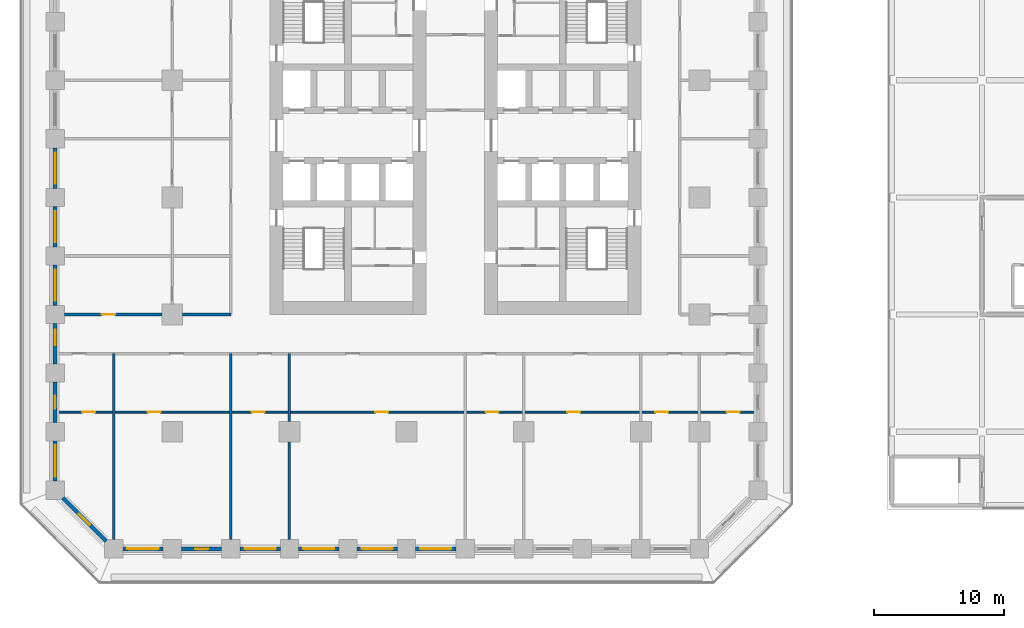
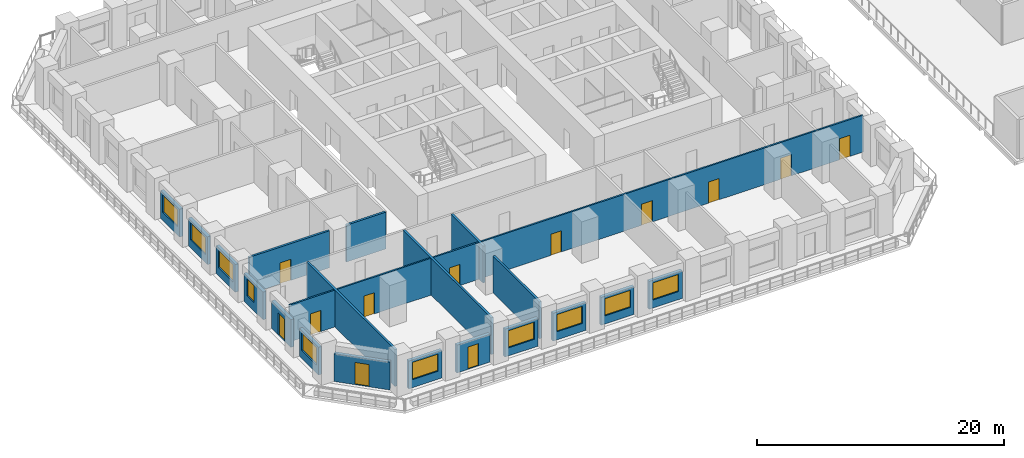
# One storey, part 18 of 30: 20 walls, 12 doors, 10 windows, 22 openings.
"""IFC4 building model written with IfcOpenShell, lengths in metres."""

from ifc_helpers import new_model, si_unit, direction, frame, frame_2d, origin, place, context, subcontext, project, spatial, rectangle, extrude, material, layer, layer_set, type_object, element, fill, save


model = new_model("IFC4")

# Units and contexts
model_context = context("Model", 3, precision=1e-05, world=origin(), true_north=direction((0.0, 1.0)))
body_context = subcontext(model_context, "Body", "Model", "MODEL_VIEW")
ifc_project = project(units=[si_unit("LENGTHUNIT", "METRE"), si_unit("AREAUNIT", "SQUARE_METRE"), si_unit("VOLUMEUNIT", "CUBIC_METRE"), si_unit("PLANEANGLEUNIT", "RADIAN"), si_unit("MASSUNIT", "GRAM", prefix="KILO")], contexts=[model_context])

# Site, building, storey
site_placement = place(None, origin())
site = spatial("IfcSite", under=ifc_project, at=site_placement, CompositionType="ELEMENT")
building_placement = place(site_placement, origin())
building = spatial("IfcBuilding", under=site, at=building_placement, Name="Corbel Stack Research Tower", CompositionType="ELEMENT")
storey_placement = place(building_placement, frame((0.0, 0.0, 19.5)))
storey = spatial("IfcBuildingStorey", under=building, at=storey_placement, Name="L04", CompositionType="ELEMENT", Elevation=19.5)

# Walls
ifc_material_1 = material(Name="Fire-rated gypsum board partition on steel studs", Category="steel")
ifc_layer_1 = layer(ifc_material_1, 0.199951171875)
ifc_layer_set_1 = layer_set([ifc_layer_1], Name="Fire-rated gypsum board partition on steel studs")
wall_type_1 = type_object("IfcWallType", Name="Fire-rated partition 200 EI 60", PredefinedType="PARTITIONING", material=ifc_layer_set_1)
for number, where, z_axis, x_axis, name in (
    (1, (-22.5, -26.300048828125, 0.0), (0.0, 0.0, 1.0), (0.0, 1.0, 0.0), "Partition L04-001"),
    (2, (-13.5, -26.300048828125, 0.0), (0.0, 0.0, 1.0), (0.0, 1.0, 0.0), "Partition L04-006"),
):
    element("IfcWall", number, at=place(storey_placement, frame(where, z_axis=z_axis, x_axis=x_axis)), inside=storey, type_object=wall_type_1, Name=name, PredefinedType="PARTITIONING", context=body_context, shape_type="SweptSolid", body=[
        extrude(rectangle(XDim=14.300048828125, YDim=0.199951171875, at=frame_2d((7.14990234375, 0.0))), origin(), (0.0, 0.0, 1.0), 3.64990234375),
    ])
wall_1_placement = place(storey_placement, frame((-9.0, -26.300048828125, 0.0), z_axis=(0.0, 0.0, 1.0), x_axis=(0.0, 1.0, 0.0)))
element("IfcWall", 3, at=wall_1_placement, inside=storey, type_object=wall_type_1, Name="Partition L04-009", PredefinedType="PARTITIONING", context=body_context, shape_type="SweptSolid", body=[
    extrude(rectangle(XDim=7.5, YDim=0.199951171875, at=frame_2d((3.75, 0.0))), origin(), (0.0, 0.0, 1.0), 3.64990234375),
])
wall_2_placement = place(storey_placement, frame((-9.0, -17.199951171875, 0.0), z_axis=(0.0, 0.0, 1.0), x_axis=(0.0, 1.0, 0.0)))
element("IfcWall", 4, at=wall_2_placement, inside=storey, type_object=wall_type_1, Name="Partition L04-010", PredefinedType="PARTITIONING", context=body_context, shape_type="SweptSolid", body=[
    extrude(rectangle(XDim=5.199951171875, YDim=0.199951171875, at=frame_2d((2.60009765625, 0.0))), origin(), (0.0, 0.0, 1.0), 3.64990234375),
])

# Wall, opening, door
wall_3_placement = place(storey_placement, frame((-26.300048828125, -9.0, 0.0), z_axis=(0.0, 0.0, 1.0), x_axis=(1.0, 0.0, 0.0)))
wall_3 = element("IfcWall", 5, at=wall_3_placement, inside=storey, type_object=wall_type_1, Name="Partition L04-026", PredefinedType="PARTITIONING", context=body_context, shape_type="SweptSolid", body=[
    extrude(rectangle(XDim=7.5, YDim=0.199951171875, at=frame_2d((3.75, 0.0))), origin(), (0.0, 0.0, 1.0), 3.64990234375),
])
opening_1_placement = place(wall_3_placement, frame((2.89990234375, 0.0, 0.0)))
opening_1 = element("IfcOpeningElement", 6, at=opening_1_placement, cuts=wall_3, Name="Opening B1V1-024", PredefinedType="OPENING", context=body_context, shape_type="SweptSolid", body=[
    extrude(rectangle(XDim=1.0, YDim=2.10009765625, at=frame_2d((0.5, 1.050048828125))), frame((0.0, 0.10986328125, 0.0), z_axis=(0.0, -1.0, 0.0), x_axis=(1.0, 0.0, 0.0)), (0.0, 0.0, 1.0), 0.219970703125),
])
ifc_material_2 = material(Name="Painted steel fire door", Category="steel")
door_type_1 = type_object("IfcDoorType", Name="Fire door FD30S 1000 x 2100", OperationType="NOTDEFINED", PredefinedType="DOOR", material=ifc_material_2)
door_1_placement = place(opening_1_placement, origin())
door_1 = element("IfcDoor", 7, at=door_1_placement, inside=storey, type_object=door_type_1, Name="Door B1V1-024", OperationType="SINGLE_SWING_LEFT", OverallHeight=2.10009765625, OverallWidth=1.0, PredefinedType="DOOR", context=body_context, shape_type="SweptSolid", body=[
    extrude(rectangle(XDim=1.0, YDim=2.10009765625, at=frame_2d((0.5, 1.050048828125))), frame((0.0, 0.02490234375, 0.0), z_axis=(0.0, -1.0, 0.0), x_axis=(1.0, 0.0, 0.0)), (0.0, 0.0, 1.0), 0.050048828125),
])
fill(opening_1, door_1)

# Wall
wall_4_placement = place(storey_placement, frame((-17.199951171875, -9.0, 0.0), z_axis=(0.0, 0.0, 1.0), x_axis=(1.0, 0.0, 0.0)))
element("IfcWall", 8, at=wall_4_placement, inside=storey, type_object=wall_type_1, Name="Partition L04-027", PredefinedType="PARTITIONING", context=body_context, shape_type="SweptSolid", body=[
    extrude(rectangle(XDim=3.699951171875, YDim=0.199951171875, at=frame_2d((1.85009765625, 0.0))), origin(), (0.0, 0.0, 1.0), 3.64990234375),
])

# Wall, openings, doors
ifc_material_3 = material(Name="Gypsum board partition on steel studs", Category="steel")
ifc_layer_2 = layer(ifc_material_3, 0.14990234375)
ifc_layer_set_2 = layer_set([ifc_layer_2], Name="Gypsum board partition on steel studs")
wall_type_2 = type_object("IfcWallType", Name="Partition 150", PredefinedType="PARTITIONING", material=ifc_layer_set_2)
wall_5_placement = place(storey_placement, frame((26.85009765625, -16.5, 0.0), z_axis=(0.0, 0.0, 1.0), x_axis=(-1.0, 0.0, 0.0)))
wall_5 = element("IfcWall", 9, at=wall_5_placement, inside=storey, type_object=wall_type_2, Name="Partition L04-024", PredefinedType="PARTITIONING", context=body_context, shape_type="SweptSolid", body=[
    extrude(rectangle(XDim=53.7001953125, YDim=0.14990234375, at=frame_2d((26.85009765625, 0.0))), origin(), (0.0, 0.0, 1.0), 3.64990234375),
])
opening_2_placement = place(wall_5_placement, frame((50.75, 0.0, 0.0)))
opening_2 = element("IfcOpeningElement", 10, at=opening_2_placement, cuts=wall_5, Name="Opening B1V1-005", PredefinedType="OPENING", context=body_context, shape_type="SweptSolid", body=[
    extrude(rectangle(XDim=1.0, YDim=2.10009765625, at=frame_2d((0.5, 1.050048828125))), frame((0.0, 0.0849609375, 0.0), z_axis=(0.0, -1.0, 0.0), x_axis=(1.0, 0.0, 0.0)), (0.0, 0.0, 1.0), 0.169921875),
])
opening_3_placement = place(wall_5_placement, frame((45.75, 0.0, 0.0)))
opening_3 = element("IfcOpeningElement", 11, at=opening_3_placement, cuts=wall_5, Name="Opening B1V1-006", PredefinedType="OPENING", context=body_context, shape_type="SweptSolid", body=[
    extrude(rectangle(XDim=1.0, YDim=2.10009765625, at=frame_2d((0.5, 1.050048828125))), frame((0.0, 0.0849609375, 0.0), z_axis=(0.0, -1.0, 0.0), x_axis=(1.0, 0.0, 0.0)), (0.0, 0.0, 1.0), 0.169921875),
])
opening_4_placement = place(wall_5_placement, frame((37.75, 0.0, 0.0)))
opening_4 = element("IfcOpeningElement", 12, at=opening_4_placement, cuts=wall_5, Name="Opening B1V1-007", PredefinedType="OPENING", context=body_context, shape_type="SweptSolid", body=[
    extrude(rectangle(XDim=1.0, YDim=2.10009765625, at=frame_2d((0.5, 1.050048828125))), frame((0.0, 0.0849609375, 0.0), z_axis=(0.0, -1.0, 0.0), x_axis=(1.0, 0.0, 0.0)), (0.0, 0.0, 1.0), 0.169921875),
])
opening_5_placement = place(wall_5_placement, frame((28.25, 0.0, 0.0)))
opening_5 = element("IfcOpeningElement", 13, at=opening_5_placement, cuts=wall_5, Name="Opening B1V1-008", PredefinedType="OPENING", context=body_context, shape_type="SweptSolid", body=[
    extrude(rectangle(XDim=1.0, YDim=2.10009765625, at=frame_2d((0.5, 1.050048828125))), frame((0.0, 0.0849609375, 0.0), z_axis=(0.0, -1.0, 0.0), x_axis=(1.0, 0.0, 0.0)), (0.0, 0.0, 1.0), 0.169921875),
])
opening_6_placement = place(wall_5_placement, frame((19.75, 0.0, 0.0)))
opening_6 = element("IfcOpeningElement", 14, at=opening_6_placement, cuts=wall_5, Name="Opening B1V1-009", PredefinedType="OPENING", context=body_context, shape_type="SweptSolid", body=[
    extrude(rectangle(XDim=1.0, YDim=2.10009765625, at=frame_2d((0.5, 1.050048828125))), frame((0.0, 0.0849609375, 0.0), z_axis=(0.0, -1.0, 0.0), x_axis=(1.0, 0.0, 0.0)), (0.0, 0.0, 1.0), 0.169921875),
])
opening_7_placement = place(wall_5_placement, frame((13.5, 0.0, 0.0)))
opening_7 = element("IfcOpeningElement", 15, at=opening_7_placement, cuts=wall_5, Name="Opening B1V1-010", PredefinedType="OPENING", context=body_context, shape_type="SweptSolid", body=[
    extrude(rectangle(XDim=1.0, YDim=2.10009765625, at=frame_2d((0.5, 1.050048828125))), frame((0.0, 0.0849609375, 0.0), z_axis=(0.0, -1.0, 0.0), x_axis=(1.0, 0.0, 0.0)), (0.0, 0.0, 1.0), 0.169921875),
])
opening_8_placement = place(wall_5_placement, frame((6.75, 0.0, 0.0)))
opening_8 = element("IfcOpeningElement", 16, at=opening_8_placement, cuts=wall_5, Name="Opening B1V1-011", PredefinedType="OPENING", context=body_context, shape_type="SweptSolid", body=[
    extrude(rectangle(XDim=1.0, YDim=2.10009765625, at=frame_2d((0.5, 1.050048828125))), frame((0.0, 0.0849609375, 0.0), z_axis=(0.0, -1.0, 0.0), x_axis=(1.0, 0.0, 0.0)), (0.0, 0.0, 1.0), 0.169921875),
])
opening_9_placement = place(wall_5_placement, frame((1.25, 0.0, 0.0)))
opening_9 = element("IfcOpeningElement", 17, at=opening_9_placement, cuts=wall_5, Name="Opening B1V1-012", PredefinedType="OPENING", context=body_context, shape_type="SweptSolid", body=[
    extrude(rectangle(XDim=1.0, YDim=2.10009765625, at=frame_2d((0.5, 1.050048828125))), frame((0.0, 0.0849609375, 0.0), z_axis=(0.0, -1.0, 0.0), x_axis=(1.0, 0.0, 0.0)), (0.0, 0.0, 1.0), 0.169921875),
])
ifc_material_4 = material(Name="Painted timber door", Category="wood")
door_type_2 = type_object("IfcDoorType", Name="Single door 1000 x 2100", OperationType="NOTDEFINED", PredefinedType="DOOR", material=ifc_material_4)
door_2_placement = place(opening_2_placement, origin())
door_2 = element("IfcDoor", 18, at=door_2_placement, inside=storey, type_object=door_type_2, Name="Door B1V1-005", OperationType="SINGLE_SWING_RIGHT", OverallHeight=2.10009765625, OverallWidth=1.0, PredefinedType="DOOR", context=body_context, shape_type="SweptSolid", body=[
    extrude(rectangle(XDim=1.0, YDim=2.10009765625, at=frame_2d((0.5, 1.050048828125))), frame((0.0, 0.02490234375, 0.0), z_axis=(0.0, -1.0, 0.0), x_axis=(1.0, 0.0, 0.0)), (0.0, 0.0, 1.0), 0.050048828125),
])
fill(opening_2, door_2)
door_3_placement = place(opening_3_placement, origin())
door_3 = element("IfcDoor", 19, at=door_3_placement, inside=storey, type_object=door_type_2, Name="Door B1V1-006", OperationType="SINGLE_SWING_RIGHT", OverallHeight=2.10009765625, OverallWidth=1.0, PredefinedType="DOOR", context=body_context, shape_type="SweptSolid", body=[
    extrude(rectangle(XDim=1.0, YDim=2.10009765625, at=frame_2d((0.5, 1.050048828125))), frame((0.0, 0.02490234375, 0.0), z_axis=(0.0, -1.0, 0.0), x_axis=(1.0, 0.0, 0.0)), (0.0, 0.0, 1.0), 0.050048828125),
])
fill(opening_3, door_3)
door_4_placement = place(opening_4_placement, origin())
door_4 = element("IfcDoor", 20, at=door_4_placement, inside=storey, type_object=door_type_2, Name="Door B1V1-007", OperationType="SINGLE_SWING_RIGHT", OverallHeight=2.10009765625, OverallWidth=1.0, PredefinedType="DOOR", context=body_context, shape_type="SweptSolid", body=[
    extrude(rectangle(XDim=1.0, YDim=2.10009765625, at=frame_2d((0.5, 1.050048828125))), frame((0.0, 0.02490234375, 0.0), z_axis=(0.0, -1.0, 0.0), x_axis=(1.0, 0.0, 0.0)), (0.0, 0.0, 1.0), 0.050048828125),
])
fill(opening_4, door_4)
door_5_placement = place(opening_5_placement, origin())
door_5 = element("IfcDoor", 21, at=door_5_placement, inside=storey, type_object=door_type_2, Name="Door B1V1-008", OperationType="SINGLE_SWING_RIGHT", OverallHeight=2.10009765625, OverallWidth=1.0, PredefinedType="DOOR", context=body_context, shape_type="SweptSolid", body=[
    extrude(rectangle(XDim=1.0, YDim=2.10009765625, at=frame_2d((0.5, 1.050048828125))), frame((0.0, 0.02490234375, 0.0), z_axis=(0.0, -1.0, 0.0), x_axis=(1.0, 0.0, 0.0)), (0.0, 0.0, 1.0), 0.050048828125),
])
fill(opening_5, door_5)
door_6_placement = place(opening_6_placement, origin())
door_6 = element("IfcDoor", 22, at=door_6_placement, inside=storey, type_object=door_type_2, Name="Door B1V1-009", OperationType="SINGLE_SWING_LEFT", OverallHeight=2.10009765625, OverallWidth=1.0, PredefinedType="DOOR", context=body_context, shape_type="SweptSolid", body=[
    extrude(rectangle(XDim=1.0, YDim=2.10009765625, at=frame_2d((0.5, 1.050048828125))), frame((0.0, 0.02490234375, 0.0), z_axis=(0.0, -1.0, 0.0), x_axis=(1.0, 0.0, 0.0)), (0.0, 0.0, 1.0), 0.050048828125),
])
fill(opening_6, door_6)
door_7_placement = place(opening_7_placement, origin())
door_7 = element("IfcDoor", 23, at=door_7_placement, inside=storey, type_object=door_type_2, Name="Door B1V1-010", OperationType="SINGLE_SWING_LEFT", OverallHeight=2.10009765625, OverallWidth=1.0, PredefinedType="DOOR", context=body_context, shape_type="SweptSolid", body=[
    extrude(rectangle(XDim=1.0, YDim=2.10009765625, at=frame_2d((0.5, 1.050048828125))), frame((0.0, 0.02490234375, 0.0), z_axis=(0.0, -1.0, 0.0), x_axis=(1.0, 0.0, 0.0)), (0.0, 0.0, 1.0), 0.050048828125),
])
fill(opening_7, door_7)
door_8_placement = place(opening_8_placement, origin())
door_8 = element("IfcDoor", 24, at=door_8_placement, inside=storey, type_object=door_type_2, Name="Door B1V1-011", OperationType="SINGLE_SWING_LEFT", OverallHeight=2.10009765625, OverallWidth=1.0, PredefinedType="DOOR", context=body_context, shape_type="SweptSolid", body=[
    extrude(rectangle(XDim=1.0, YDim=2.10009765625, at=frame_2d((0.5, 1.050048828125))), frame((0.0, 0.02490234375, 0.0), z_axis=(0.0, -1.0, 0.0), x_axis=(1.0, 0.0, 0.0)), (0.0, 0.0, 1.0), 0.050048828125),
])
fill(opening_8, door_8)
door_9_placement = place(opening_9_placement, origin())
door_9 = element("IfcDoor", 25, at=door_9_placement, inside=storey, type_object=door_type_2, Name="Door B1V1-012", OperationType="SINGLE_SWING_LEFT", OverallHeight=2.10009765625, OverallWidth=1.0, PredefinedType="DOOR", context=body_context, shape_type="SweptSolid", body=[
    extrude(rectangle(XDim=1.0, YDim=2.10009765625, at=frame_2d((0.5, 1.050048828125))), frame((0.0, 0.02490234375, 0.0), z_axis=(0.0, -1.0, 0.0), x_axis=(1.0, 0.0, 0.0)), (0.0, 0.0, 1.0), 0.050048828125),
])
fill(opening_9, door_9)

# Wall, opening, window
ifc_material_5 = material(Name="Concrete C45/55", Category="concrete")
ifc_layer_3 = layer(ifc_material_5, 0.300048828125)
ifc_layer_set_3 = layer_set([ifc_layer_3], Name="Concrete C45/55")
wall_type_3 = type_object("IfcWallType", Name="Terracotta-faced concrete wall 300", PredefinedType="SOLIDWALL", material=ifc_layer_set_3)
wall_6_placement = place(storey_placement, frame((-18.699951171875, -27.0, 0.0), z_axis=(0.0, 0.0, 1.0), x_axis=(-1.0, 0.0, 0.0)))
wall_6 = element("IfcWall", 26, at=wall_6_placement, inside=storey, type_object=wall_type_3, Name="Facade wall L04 S01", PredefinedType="SOLIDWALL", context=body_context, shape_type="SweptSolid", body=[
    extrude(rectangle(XDim=3.10009765625, YDim=0.300048828125, at=frame_2d((1.550048828125, 0.0))), origin(), (0.0, 0.0, 1.0), 2.75),
])
opening_10_placement = place(wall_6_placement, frame((0.35009765625, 0.0, 0.800048828125)))
opening_10 = element("IfcOpeningElement", 27, at=opening_10_placement, cuts=wall_6, Name="Opening W1", PredefinedType="OPENING", context=body_context, shape_type="SweptSolid", body=[
    extrude(rectangle(XDim=2.39990234375, YDim=1.699951171875, at=frame_2d((1.199951171875, 0.85009765625))), frame((0.0, 0.159912109375, 0.0), z_axis=(0.0, -1.0, 0.0), x_axis=(1.0, 0.0, 0.0)), (0.0, 0.0, 1.0), 0.320068359375),
])
ifc_material_6 = material(Name="Aluminium frame, clear double glazing", Category="aluminium")
window_type_1 = type_object("IfcWindowType", Name="Window W1 2400 x 1700", PartitioningType="SINGLE_PANEL", PredefinedType="WINDOW", material=ifc_material_6)
window_1_placement = place(opening_10_placement, origin())
window_1 = element("IfcWindow", 28, at=window_1_placement, inside=storey, type_object=window_type_1, Name="Window W1 L04 S01", OverallHeight=1.699951171875, OverallWidth=2.39990234375, PartitioningType="SINGLE_PANEL", PredefinedType="WINDOW", context=body_context, shape_type="SweptSolid", body=[
    extrude(rectangle(XDim=2.39990234375, YDim=1.699951171875, at=frame_2d((1.199951171875, 0.85009765625))), frame((0.0, 0.030029296875, 0.0), z_axis=(0.0, -1.0, 0.0), x_axis=(1.0, 0.0, 0.0)), (0.0, 0.0, 1.0), 0.06005859375),
])
fill(opening_10, window_1)

# Wall, opening, door
wall_7_placement = place(storey_placement, frame((-14.199951171875, -27.0, 0.0), z_axis=(0.0, 0.0, 1.0), x_axis=(-1.0, 0.0, 0.0)))
wall_7 = element("IfcWall", 29, at=wall_7_placement, inside=storey, type_object=wall_type_3, Name="Facade wall L04 S02", PredefinedType="SOLIDWALL", context=body_context, shape_type="SweptSolid", body=[
    extrude(rectangle(XDim=3.10009765625, YDim=0.300048828125, at=frame_2d((1.550048828125, 0.0))), origin(), (0.0, 0.0, 1.0), 2.75),
])
opening_11_placement = place(wall_7_placement, frame((1.050048828125, 0.0, 0.0)))
opening_11 = element("IfcOpeningElement", 30, at=opening_11_placement, cuts=wall_7, Name="Opening L04-B01", PredefinedType="OPENING", context=body_context, shape_type="SweptSolid", body=[
    extrude(rectangle(XDim=1.0, YDim=2.199951171875, at=frame_2d((0.5, 1.10009765625))), frame((0.0, 0.159912109375, 0.0), z_axis=(0.0, -1.0, 0.0), x_axis=(1.0, 0.0, 0.0)), (0.0, 0.0, 1.0), 0.320068359375),
])
ifc_material_7 = material(Name="Aluminium frame, clear double glazing", Category="aluminium")
door_type_3 = type_object("IfcDoorType", Name="Balcony door BD1 1000 x 2200", OperationType="NOTDEFINED", PredefinedType="DOOR", material=ifc_material_7)
door_10_placement = place(opening_11_placement, origin())
door_10 = element("IfcDoor", 31, at=door_10_placement, inside=storey, type_object=door_type_3, Name="Balcony door L04-B01", OperationType="SINGLE_SWING_RIGHT", OverallHeight=2.199951171875, OverallWidth=1.0, PredefinedType="DOOR", context=body_context, shape_type="SweptSolid", body=[
    extrude(rectangle(XDim=1.0, YDim=2.199951171875, at=frame_2d((0.5, 1.10009765625))), frame((0.0, 0.02490234375, 0.0), z_axis=(0.0, -1.0, 0.0), x_axis=(1.0, 0.0, 0.0)), (0.0, 0.0, 1.0), 0.050048828125),
])
fill(opening_11, door_10)

# Wall, opening, window
wall_8_placement = place(storey_placement, frame((-9.699951171875, -27.0, 0.0), z_axis=(0.0, 0.0, 1.0), x_axis=(-1.0, 0.0, 0.0)))
wall_8 = element("IfcWall", 32, at=wall_8_placement, inside=storey, type_object=wall_type_3, Name="Facade wall L04 S03", PredefinedType="SOLIDWALL", context=body_context, shape_type="SweptSolid", body=[
    extrude(rectangle(XDim=3.10009765625, YDim=0.300048828125, at=frame_2d((1.550048828125, 0.0))), origin(), (0.0, 0.0, 1.0), 2.75),
])
opening_12_placement = place(wall_8_placement, frame((0.35009765625, 0.0, 0.800048828125)))
opening_12 = element("IfcOpeningElement", 33, at=opening_12_placement, cuts=wall_8, Name="Opening W1", PredefinedType="OPENING", context=body_context, shape_type="SweptSolid", body=[
    extrude(rectangle(XDim=2.39990234375, YDim=1.699951171875, at=frame_2d((1.199951171875, 0.85009765625))), frame((0.0, 0.159912109375, 0.0), z_axis=(0.0, -1.0, 0.0), x_axis=(1.0, 0.0, 0.0)), (0.0, 0.0, 1.0), 0.320068359375),
])
window_2_placement = place(opening_12_placement, origin())
window_2 = element("IfcWindow", 34, at=window_2_placement, inside=storey, type_object=window_type_1, Name="Window W1 L04 S03", OverallHeight=1.699951171875, OverallWidth=2.39990234375, PartitioningType="SINGLE_PANEL", PredefinedType="WINDOW", context=body_context, shape_type="SweptSolid", body=[
    extrude(rectangle(XDim=2.39990234375, YDim=1.699951171875, at=frame_2d((1.199951171875, 0.85009765625))), frame((0.0, 0.030029296875, 0.0), z_axis=(0.0, -1.0, 0.0), x_axis=(1.0, 0.0, 0.0)), (0.0, 0.0, 1.0), 0.06005859375),
])
fill(opening_12, window_2)

wall_9_placement = place(storey_placement, frame((-5.199951171875, -27.0, 0.0), z_axis=(0.0, 0.0, 1.0), x_axis=(-1.0, 0.0, 0.0)))
wall_9 = element("IfcWall", 35, at=wall_9_placement, inside=storey, type_object=wall_type_3, Name="Facade wall L04 S04", PredefinedType="SOLIDWALL", context=body_context, shape_type="SweptSolid", body=[
    extrude(rectangle(XDim=3.10009765625, YDim=0.300048828125, at=frame_2d((1.550048828125, 0.0))), origin(), (0.0, 0.0, 1.0), 2.75),
])
opening_13_placement = place(wall_9_placement, frame((0.35009765625, 0.0, 0.800048828125)))
opening_13 = element("IfcOpeningElement", 36, at=opening_13_placement, cuts=wall_9, Name="Opening W1", PredefinedType="OPENING", context=body_context, shape_type="SweptSolid", body=[
    extrude(rectangle(XDim=2.39990234375, YDim=1.699951171875, at=frame_2d((1.199951171875, 0.85009765625))), frame((0.0, 0.159912109375, 0.0), z_axis=(0.0, -1.0, 0.0), x_axis=(1.0, 0.0, 0.0)), (0.0, 0.0, 1.0), 0.320068359375),
])
window_3_placement = place(opening_13_placement, origin())
window_3 = element("IfcWindow", 37, at=window_3_placement, inside=storey, type_object=window_type_1, Name="Window W1 L04 S04", OverallHeight=1.699951171875, OverallWidth=2.39990234375, PartitioningType="SINGLE_PANEL", PredefinedType="WINDOW", context=body_context, shape_type="SweptSolid", body=[
    extrude(rectangle(XDim=2.39990234375, YDim=1.699951171875, at=frame_2d((1.199951171875, 0.85009765625))), frame((0.0, 0.030029296875, 0.0), z_axis=(0.0, -1.0, 0.0), x_axis=(1.0, 0.0, 0.0)), (0.0, 0.0, 1.0), 0.06005859375),
])
fill(opening_13, window_3)

wall_10_placement = place(storey_placement, frame((-0.699951171875, -27.0, 0.0), z_axis=(0.0, 0.0, 1.0), x_axis=(-1.0, 0.0, 0.0)))
wall_10 = element("IfcWall", 38, at=wall_10_placement, inside=storey, type_object=wall_type_3, Name="Facade wall L04 S05", PredefinedType="SOLIDWALL", context=body_context, shape_type="SweptSolid", body=[
    extrude(rectangle(XDim=3.10009765625, YDim=0.300048828125, at=frame_2d((1.550048828125, 0.0))), origin(), (0.0, 0.0, 1.0), 2.75),
])
opening_14_placement = place(wall_10_placement, frame((0.35009765625, 0.0, 0.800048828125)))
opening_14 = element("IfcOpeningElement", 39, at=opening_14_placement, cuts=wall_10, Name="Opening W1", PredefinedType="OPENING", context=body_context, shape_type="SweptSolid", body=[
    extrude(rectangle(XDim=2.39990234375, YDim=1.699951171875, at=frame_2d((1.199951171875, 0.85009765625))), frame((0.0, 0.159912109375, 0.0), z_axis=(0.0, -1.0, 0.0), x_axis=(1.0, 0.0, 0.0)), (0.0, 0.0, 1.0), 0.320068359375),
])
window_4_placement = place(opening_14_placement, origin())
window_4 = element("IfcWindow", 40, at=window_4_placement, inside=storey, type_object=window_type_1, Name="Window W1 L04 S05", OverallHeight=1.699951171875, OverallWidth=2.39990234375, PartitioningType="SINGLE_PANEL", PredefinedType="WINDOW", context=body_context, shape_type="SweptSolid", body=[
    extrude(rectangle(XDim=2.39990234375, YDim=1.699951171875, at=frame_2d((1.199951171875, 0.85009765625))), frame((0.0, 0.030029296875, 0.0), z_axis=(0.0, -1.0, 0.0), x_axis=(1.0, 0.0, 0.0)), (0.0, 0.0, 1.0), 0.06005859375),
])
fill(opening_14, window_4)

wall_11_placement = place(storey_placement, frame((3.800048828125, -27.0, 0.0), z_axis=(0.0, 0.0, 1.0), x_axis=(-1.0, 0.0, 0.0)))
wall_11 = element("IfcWall", 41, at=wall_11_placement, inside=storey, type_object=wall_type_3, Name="Facade wall L04 S06", PredefinedType="SOLIDWALL", context=body_context, shape_type="SweptSolid", body=[
    extrude(rectangle(XDim=3.10009765625, YDim=0.300048828125, at=frame_2d((1.550048828125, 0.0))), origin(), (0.0, 0.0, 1.0), 2.75),
])
opening_15_placement = place(wall_11_placement, frame((0.35009765625, 0.0, 0.800048828125)))
opening_15 = element("IfcOpeningElement", 42, at=opening_15_placement, cuts=wall_11, Name="Opening W1", PredefinedType="OPENING", context=body_context, shape_type="SweptSolid", body=[
    extrude(rectangle(XDim=2.39990234375, YDim=1.699951171875, at=frame_2d((1.199951171875, 0.85009765625))), frame((0.0, 0.159912109375, 0.0), z_axis=(0.0, -1.0, 0.0), x_axis=(1.0, 0.0, 0.0)), (0.0, 0.0, 1.0), 0.320068359375),
])
window_5_placement = place(opening_15_placement, origin())
window_5 = element("IfcWindow", 43, at=window_5_placement, inside=storey, type_object=window_type_1, Name="Window W1 L04 S06", OverallHeight=1.699951171875, OverallWidth=2.39990234375, PartitioningType="SINGLE_PANEL", PredefinedType="WINDOW", context=body_context, shape_type="SweptSolid", body=[
    extrude(rectangle(XDim=2.39990234375, YDim=1.699951171875, at=frame_2d((1.199951171875, 0.85009765625))), frame((0.0, 0.030029296875, 0.0), z_axis=(0.0, -1.0, 0.0), x_axis=(1.0, 0.0, 0.0)), (0.0, 0.0, 1.0), 0.06005859375),
])
fill(opening_15, window_5)

wall_12_placement = place(storey_placement, frame((-27.0, 0.699951171875, 0.0), z_axis=(0.0, 0.0, 1.0), x_axis=(0.0, 1.0, 0.0)))
wall_12 = element("IfcWall", 44, at=wall_12_placement, inside=storey, type_object=wall_type_3, Name="Facade wall L04 W05", PredefinedType="SOLIDWALL", context=body_context, shape_type="SweptSolid", body=[
    extrude(rectangle(XDim=3.10009765625, YDim=0.300048828125, at=frame_2d((1.550048828125, 0.0))), origin(), (0.0, 0.0, 1.0), 2.75),
])
opening_16_placement = place(wall_12_placement, frame((0.35009765625, 0.0, 0.800048828125)))
opening_16 = element("IfcOpeningElement", 45, at=opening_16_placement, cuts=wall_12, Name="Opening W1", PredefinedType="OPENING", context=body_context, shape_type="SweptSolid", body=[
    extrude(rectangle(XDim=2.39990234375, YDim=1.699951171875, at=frame_2d((1.199951171875, 0.85009765625))), frame((0.0, 0.159912109375, 0.0), z_axis=(0.0, -1.0, 0.0), x_axis=(1.0, 0.0, 0.0)), (0.0, 0.0, 1.0), 0.320068359375),
])
window_6_placement = place(opening_16_placement, origin())
window_6 = element("IfcWindow", 46, at=window_6_placement, inside=storey, type_object=window_type_1, Name="Window W1 L04 W05", OverallHeight=1.699951171875, OverallWidth=2.39990234375, PartitioningType="SINGLE_PANEL", PredefinedType="WINDOW", context=body_context, shape_type="SweptSolid", body=[
    extrude(rectangle(XDim=2.39990234375, YDim=1.699951171875, at=frame_2d((1.199951171875, 0.85009765625))), frame((0.0, 0.030029296875, 0.0), z_axis=(0.0, -1.0, 0.0), x_axis=(1.0, 0.0, 0.0)), (0.0, 0.0, 1.0), 0.06005859375),
])
fill(opening_16, window_6)

wall_13_placement = place(storey_placement, frame((-27.0, -3.800048828125, 0.0), z_axis=(0.0, 0.0, 1.0), x_axis=(0.0, 1.0, 0.0)))
wall_13 = element("IfcWall", 47, at=wall_13_placement, inside=storey, type_object=wall_type_3, Name="Facade wall L04 W06", PredefinedType="SOLIDWALL", context=body_context, shape_type="SweptSolid", body=[
    extrude(rectangle(XDim=3.10009765625, YDim=0.300048828125, at=frame_2d((1.550048828125, 0.0))), origin(), (0.0, 0.0, 1.0), 2.75),
])
opening_17_placement = place(wall_13_placement, frame((0.35009765625, 0.0, 0.800048828125)))
opening_17 = element("IfcOpeningElement", 48, at=opening_17_placement, cuts=wall_13, Name="Opening W1", PredefinedType="OPENING", context=body_context, shape_type="SweptSolid", body=[
    extrude(rectangle(XDim=2.39990234375, YDim=1.699951171875, at=frame_2d((1.199951171875, 0.85009765625))), frame((0.0, 0.159912109375, 0.0), z_axis=(0.0, -1.0, 0.0), x_axis=(1.0, 0.0, 0.0)), (0.0, 0.0, 1.0), 0.320068359375),
])
window_7_placement = place(opening_17_placement, origin())
window_7 = element("IfcWindow", 49, at=window_7_placement, inside=storey, type_object=window_type_1, Name="Window W1 L04 W06", OverallHeight=1.699951171875, OverallWidth=2.39990234375, PartitioningType="SINGLE_PANEL", PredefinedType="WINDOW", context=body_context, shape_type="SweptSolid", body=[
    extrude(rectangle(XDim=2.39990234375, YDim=1.699951171875, at=frame_2d((1.199951171875, 0.85009765625))), frame((0.0, 0.030029296875, 0.0), z_axis=(0.0, -1.0, 0.0), x_axis=(1.0, 0.0, 0.0)), (0.0, 0.0, 1.0), 0.06005859375),
])
fill(opening_17, window_7)

wall_14_placement = place(storey_placement, frame((-27.0, -8.300048828125, 0.0), z_axis=(0.0, 0.0, 1.0), x_axis=(0.0, 1.0, 0.0)))
wall_14 = element("IfcWall", 50, at=wall_14_placement, inside=storey, type_object=wall_type_3, Name="Facade wall L04 W07", PredefinedType="SOLIDWALL", context=body_context, shape_type="SweptSolid", body=[
    extrude(rectangle(XDim=3.10009765625, YDim=0.300048828125, at=frame_2d((1.550048828125, 0.0))), origin(), (0.0, 0.0, 1.0), 2.75),
])
opening_18_placement = place(wall_14_placement, frame((0.35009765625, 0.0, 0.800048828125)))
opening_18 = element("IfcOpeningElement", 51, at=opening_18_placement, cuts=wall_14, Name="Opening W1", PredefinedType="OPENING", context=body_context, shape_type="SweptSolid", body=[
    extrude(rectangle(XDim=2.39990234375, YDim=1.699951171875, at=frame_2d((1.199951171875, 0.85009765625))), frame((0.0, 0.159912109375, 0.0), z_axis=(0.0, -1.0, 0.0), x_axis=(1.0, 0.0, 0.0)), (0.0, 0.0, 1.0), 0.320068359375),
])
window_8_placement = place(opening_18_placement, origin())
window_8 = element("IfcWindow", 52, at=window_8_placement, inside=storey, type_object=window_type_1, Name="Window W1 L04 W07", OverallHeight=1.699951171875, OverallWidth=2.39990234375, PartitioningType="SINGLE_PANEL", PredefinedType="WINDOW", context=body_context, shape_type="SweptSolid", body=[
    extrude(rectangle(XDim=2.39990234375, YDim=1.699951171875, at=frame_2d((1.199951171875, 0.85009765625))), frame((0.0, 0.030029296875, 0.0), z_axis=(0.0, -1.0, 0.0), x_axis=(1.0, 0.0, 0.0)), (0.0, 0.0, 1.0), 0.06005859375),
])
fill(opening_18, window_8)

wall_15_placement = place(storey_placement, frame((-27.0, -12.800048828125, 0.0), z_axis=(0.0, 0.0, 1.0), x_axis=(0.0, 1.0, 0.0)))
wall_15 = element("IfcWall", 53, at=wall_15_placement, inside=storey, type_object=wall_type_3, Name="Facade wall L04 W08", PredefinedType="SOLIDWALL", context=body_context, shape_type="SweptSolid", body=[
    extrude(rectangle(XDim=3.10009765625, YDim=0.300048828125, at=frame_2d((1.550048828125, 0.0))), origin(), (0.0, 0.0, 1.0), 2.75),
])
opening_19_placement = place(wall_15_placement, frame((1.425048828125, 0.0, 0.800048828125)))
opening_19 = element("IfcOpeningElement", 54, at=opening_19_placement, cuts=wall_15, Name="Opening W2", PredefinedType="OPENING", context=body_context, shape_type="SweptSolid", body=[
    extrude(rectangle(XDim=1.199951171875, YDim=1.699951171875, at=frame_2d((0.60009765625, 0.85009765625))), frame((0.0, 0.159912109375, 0.0), z_axis=(0.0, -1.0, 0.0), x_axis=(1.0, 0.0, 0.0)), (0.0, 0.0, 1.0), 0.320068359375),
])
ifc_material_8 = material(Name="Aluminium frame, clear double glazing", Category="aluminium")
window_type_2 = type_object("IfcWindowType", Name="Window W2 1200 x 1700", PartitioningType="SINGLE_PANEL", PredefinedType="WINDOW", material=ifc_material_8)
window_9_placement = place(opening_19_placement, origin())
window_9 = element("IfcWindow", 55, at=window_9_placement, inside=storey, type_object=window_type_2, Name="Window W2 L04 W08", OverallHeight=1.699951171875, OverallWidth=1.199951171875, PartitioningType="SINGLE_PANEL", PredefinedType="WINDOW", context=body_context, shape_type="SweptSolid", body=[
    extrude(rectangle(XDim=1.199951171875, YDim=1.699951171875, at=frame_2d((0.60009765625, 0.85009765625))), frame((0.0, 0.030029296875, 0.0), z_axis=(0.0, -1.0, 0.0), x_axis=(1.0, 0.0, 0.0)), (0.0, 0.0, 1.0), 0.06005859375),
])
fill(opening_19, window_9)

# Wall, opening, door
wall_16_placement = place(storey_placement, frame((-27.0, -17.300048828125, 0.0), z_axis=(0.0, 0.0, 1.0), x_axis=(0.0, 1.0, 0.0)))
wall_16 = element("IfcWall", 56, at=wall_16_placement, inside=storey, type_object=wall_type_3, Name="Facade wall L04 W09", PredefinedType="SOLIDWALL", context=body_context, shape_type="SweptSolid", body=[
    extrude(rectangle(XDim=3.10009765625, YDim=0.300048828125, at=frame_2d((1.550048828125, 0.0))), origin(), (0.0, 0.0, 1.0), 2.75),
])
opening_20_placement = place(wall_16_placement, frame((1.050048828125, 0.0, 0.0)))
opening_20 = element("IfcOpeningElement", 57, at=opening_20_placement, cuts=wall_16, Name="Opening L04-B11", PredefinedType="OPENING", context=body_context, shape_type="SweptSolid", body=[
    extrude(rectangle(XDim=1.0, YDim=2.199951171875, at=frame_2d((0.5, 1.10009765625))), frame((0.0, 0.159912109375, 0.0), z_axis=(0.0, -1.0, 0.0), x_axis=(1.0, 0.0, 0.0)), (0.0, 0.0, 1.0), 0.320068359375),
])
door_11_placement = place(opening_20_placement, origin())
door_11 = element("IfcDoor", 58, at=door_11_placement, inside=storey, type_object=door_type_3, Name="Balcony door L04-B11", OperationType="SINGLE_SWING_LEFT", OverallHeight=2.199951171875, OverallWidth=1.0, PredefinedType="DOOR", context=body_context, shape_type="SweptSolid", body=[
    extrude(rectangle(XDim=1.0, YDim=2.199951171875, at=frame_2d((0.5, 1.10009765625))), frame((0.0, 0.02490234375, 0.0), z_axis=(0.0, -1.0, 0.0), x_axis=(1.0, 0.0, 0.0)), (0.0, 0.0, 1.0), 0.050048828125),
])
fill(opening_20, door_11)

# Wall, opening, window
wall_17_placement = place(storey_placement, frame((-27.0, -21.800048828125, 0.0), z_axis=(0.0, 0.0, 1.0), x_axis=(0.0, 1.0, 0.0)))
wall_17 = element("IfcWall", 59, at=wall_17_placement, inside=storey, type_object=wall_type_3, Name="Facade wall L04 W10", PredefinedType="SOLIDWALL", context=body_context, shape_type="SweptSolid", body=[
    extrude(rectangle(XDim=3.10009765625, YDim=0.300048828125, at=frame_2d((1.550048828125, 0.0))), origin(), (0.0, 0.0, 1.0), 2.75),
])
opening_21_placement = place(wall_17_placement, frame((0.35009765625, 0.0, 0.800048828125)))
opening_21 = element("IfcOpeningElement", 60, at=opening_21_placement, cuts=wall_17, Name="Opening W1", PredefinedType="OPENING", context=body_context, shape_type="SweptSolid", body=[
    extrude(rectangle(XDim=2.39990234375, YDim=1.699951171875, at=frame_2d((1.199951171875, 0.85009765625))), frame((0.0, 0.159912109375, 0.0), z_axis=(0.0, -1.0, 0.0), x_axis=(1.0, 0.0, 0.0)), (0.0, 0.0, 1.0), 0.320068359375),
])
window_10_placement = place(opening_21_placement, origin())
window_10 = element("IfcWindow", 61, at=window_10_placement, inside=storey, type_object=window_type_1, Name="Window W1 L04 W10", OverallHeight=1.699951171875, OverallWidth=2.39990234375, PartitioningType="SINGLE_PANEL", PredefinedType="WINDOW", context=body_context, shape_type="SweptSolid", body=[
    extrude(rectangle(XDim=2.39990234375, YDim=1.699951171875, at=frame_2d((1.199951171875, 0.85009765625))), frame((0.0, 0.030029296875, 0.0), z_axis=(0.0, -1.0, 0.0), x_axis=(1.0, 0.0, 0.0)), (0.0, 0.0, 1.0), 0.06005859375),
])
fill(opening_21, window_10)

# Wall, opening, door
wall_18_placement = place(storey_placement, frame((-23.093994140625, -26.406005859375, 0.0), z_axis=(0.0, 0.0, 1.0), x_axis=(-0.707106781187, 0.707106781187, 0.0)))
wall_18 = element("IfcWall", 62, at=wall_18_placement, inside=storey, type_object=wall_type_3, Name="Facade wall L04 SW01", PredefinedType="SOLIDWALL", context=body_context, shape_type="SweptSolid", body=[
    extrude(rectangle(XDim=4.683837890625, YDim=0.300048828125, at=frame_2d((2.341796875, 0.0))), origin(), (0.0, 0.0, 1.0), 2.75),
])
opening_22_placement = place(wall_18_placement, frame((1.741943359375, 0.0, 0.0)))
opening_22 = element("IfcOpeningElement", 63, at=opening_22_placement, cuts=wall_18, Name="Opening L04-B12", PredefinedType="OPENING", context=body_context, shape_type="SweptSolid", body=[
    extrude(rectangle(XDim=1.199951171875, YDim=2.199951171875, at=frame_2d((0.60009765625, 1.10009765625))), frame((0.0, 0.159912109375, 0.0), z_axis=(0.0, -1.0, 0.0), x_axis=(1.0, 0.0, 0.0)), (0.0, 0.0, 1.0), 0.320068359375),
])
ifc_material_9 = material(Name="Aluminium frame, clear double glazing", Category="aluminium")
door_type_4 = type_object("IfcDoorType", Name="Balcony door BD2 1200 x 2200", OperationType="NOTDEFINED", PredefinedType="DOOR", material=ifc_material_9)
door_12_placement = place(opening_22_placement, origin())
door_12 = element("IfcDoor", 64, at=door_12_placement, inside=storey, type_object=door_type_4, Name="Balcony door L04-B12", OperationType="SINGLE_SWING_LEFT", OverallHeight=2.199951171875, OverallWidth=1.199951171875, PredefinedType="DOOR", context=body_context, shape_type="SweptSolid", body=[
    extrude(rectangle(XDim=1.199951171875, YDim=2.199951171875, at=frame_2d((0.60009765625, 1.10009765625))), frame((0.0, 0.02490234375, 0.0), z_axis=(0.0, -1.0, 0.0), x_axis=(1.0, 0.0, 0.0)), (0.0, 0.0, 1.0), 0.050048828125),
])
fill(opening_22, door_12)

save(model, "model.ifc")
